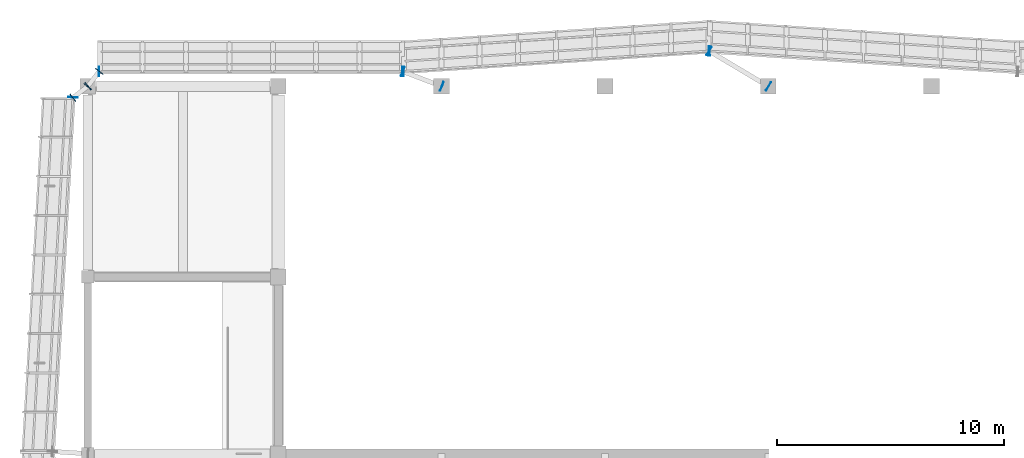
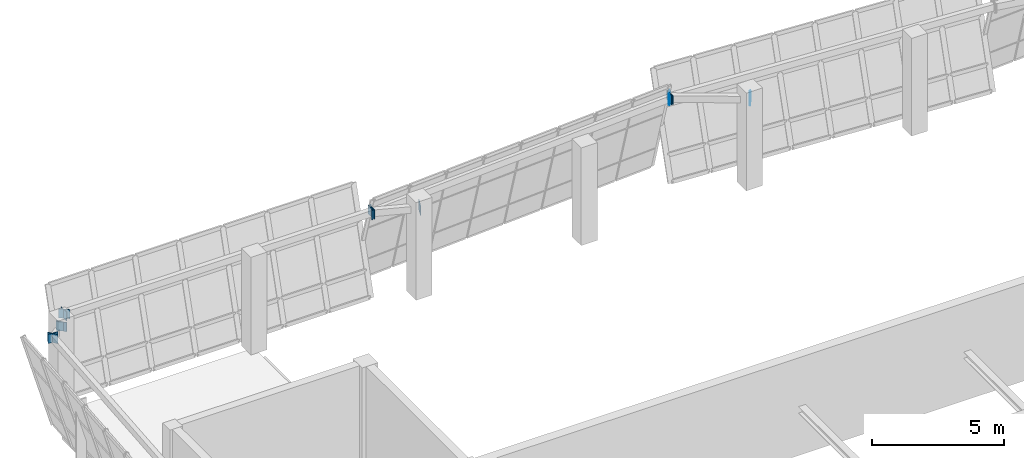
# One storey, part 53 of 67: 14 plates.
"""IFC4 building model written with IfcOpenShell, lengths in metres."""

from ifc_helpers import new_model, si_unit, direction, frame, origin, origin_2d, place, context, subcontext, project, spatial, rectangle, extrude, material, layer, layer_set, type_object, element, save


model = new_model("IFC4")

# Units and contexts
model_context = context("Model", 3, precision=1e-05, world=origin(), true_north=direction((0.0, 1.0)))
body_context = subcontext(model_context, "Body", "Model", "MODEL_VIEW")
ifc_project = project(units=[si_unit("LENGTHUNIT", "METRE"), si_unit("AREAUNIT", "SQUARE_METRE"), si_unit("VOLUMEUNIT", "CUBIC_METRE"), si_unit("PLANEANGLEUNIT", "RADIAN"), si_unit("MASSUNIT", "GRAM", prefix="KILO")], contexts=[model_context])

# Site, building, storey
site_placement = place(None, origin())
site = spatial("IfcSite", under=ifc_project, at=site_placement, CompositionType="ELEMENT")
building_placement = place(site_placement, origin())
building = spatial("IfcBuilding", under=site, at=building_placement, Name="Pellamere Symphony Hall", CompositionType="ELEMENT")
storey_placement = place(building_placement, frame((0.0, 0.0, 19.5)))
storey = spatial("IfcBuildingStorey", under=building, at=storey_placement, Name="L04", CompositionType="ELEMENT", Elevation=19.5)

# Plates
ifc_material = material(Name="Steel CSA G40.21 350W", Category="steel")
ifc_layer = layer(ifc_material, 0.02490234375, Name="Steel CSA G40.21 350W")
ifc_layer_set = layer_set([ifc_layer], Name="Steel CSA G40.21 350W")
plate_type = type_object("IfcPlateType", Name="Steel Connection Plate KP-01 420x420x25", PredefinedType="SHEET", material=ifc_layer_set)
for number, where, z_axis, x_axis, name in (
    (1, (77.7880859375, 95.15087890625, 3.72998046875), (0.0, 0.0, 1.0), (-0.997813020072, 0.066099750182, 0.0), "Crystal Spandrel End Cap Plate CW-CR12-2 (L04)"),
    (2, (80.410400390625, 93.593994140625, 3.72998046875), (0.0, 0.0, 1.0), (-0.858959896931, 0.512042864871, 0.0), "Outrigger End Cap Plate 068.1 (L04)"),
    (3, (77.789794921875, 95.156005859375, 3.72998046875), (0.0, 0.0, 1.0), (-0.858959896931, 0.512042864871, 0.0), "Outrigger End Cap Plate 068.2 (L04)"),
    (4, (77.81201171875, 95.15087890625, 3.72998046875), (0.0, 0.0, 1.0), (-0.997789886117, -0.066448048599, 0.0), "Crystal Spandrel End Cap Plate CW-CR13-1 (L04)"),
    (5, (64.2880859375, 94.249267578125, 3.72998046875), (0.0, 0.0, 1.0), (-0.997789886117, -0.066448048599, 0.0), "Crystal Spandrel End Cap Plate CW-CR13-2 (L04)"),
    (6, (66.01123046875, 93.595703125, 3.72998046875), (0.0, 0.0, 1.0), (-0.934079892355, 0.357064076459, 0.0), "Outrigger End Cap Plate 074.1 (L04)"),
    (7, (64.288818359375, 94.25439453125, 3.72998046875), (0.0, 0.0, 1.0), (-0.934079892355, 0.357064076459, 0.0), "Outrigger End Cap Plate 074.2 (L04)"),
    (8, (64.31201171875, 94.25, 3.72998046875), (0.0, 0.0, 1.0), (-1.0, 0.0, 0.0), "Crystal Spandrel End Cap Plate CW-CR14-1 (L04)"),
    (9, (50.887939453125, 94.25, 3.72998046875), (0.0, 0.0, 1.0), (-1.0, 0.0, 0.0), "Crystal Spandrel End Cap Plate CW-CR14-2 (L04)"),
    (10, (50.392578125, 93.590576171875, 3.72998046875), (0.0, 0.0, 1.0), (0.609730238396, 0.792609005996, 0.0), "Outrigger End Cap Plate 080.1 (L04)"),
    (11, (50.9072265625, 94.259521484375, 3.72998046875), (0.0, 0.0, 1.0), (0.609730238396, 0.792609005996, 0.0), "Outrigger End Cap Plate 080.2 (L04)"),
    (12, (49.750732421875, 93.112060546875, 3.72998046875), (0.0, 0.0, 1.0), (-0.05756402696, -0.998341816614, 0.0), "Crystal Spandrel End Cap Plate CW-CR15-1 (L04)"),
    (13, (50.409423828125, 93.607421875, 3.72998046875), (0.0, 0.0, 1.0), (-0.792609005996, -0.609730238396, 0.0), "Outrigger End Cap Plate 094.1 (L04)"),
    (14, (49.740478515625, 93.0927734375, 3.72998046875), (0.0, 0.0, 1.0), (-0.792609005996, -0.609730238396, 0.0), "Outrigger End Cap Plate 094.2 (L04)"),
):
    element("IfcPlate", number, at=place(storey_placement, frame(where, z_axis=z_axis, x_axis=x_axis)), inside=storey, type_object=plate_type, Name=name, PredefinedType="SHEET", context=body_context, shape_type="SweptSolid", body=[
        extrude(rectangle(XDim=0.02490234375, YDim=0.419921875, at=origin_2d()), origin(), (0.0, 0.0, 1.0), 0.419921875),
    ])

save(model, "model.ifc")
